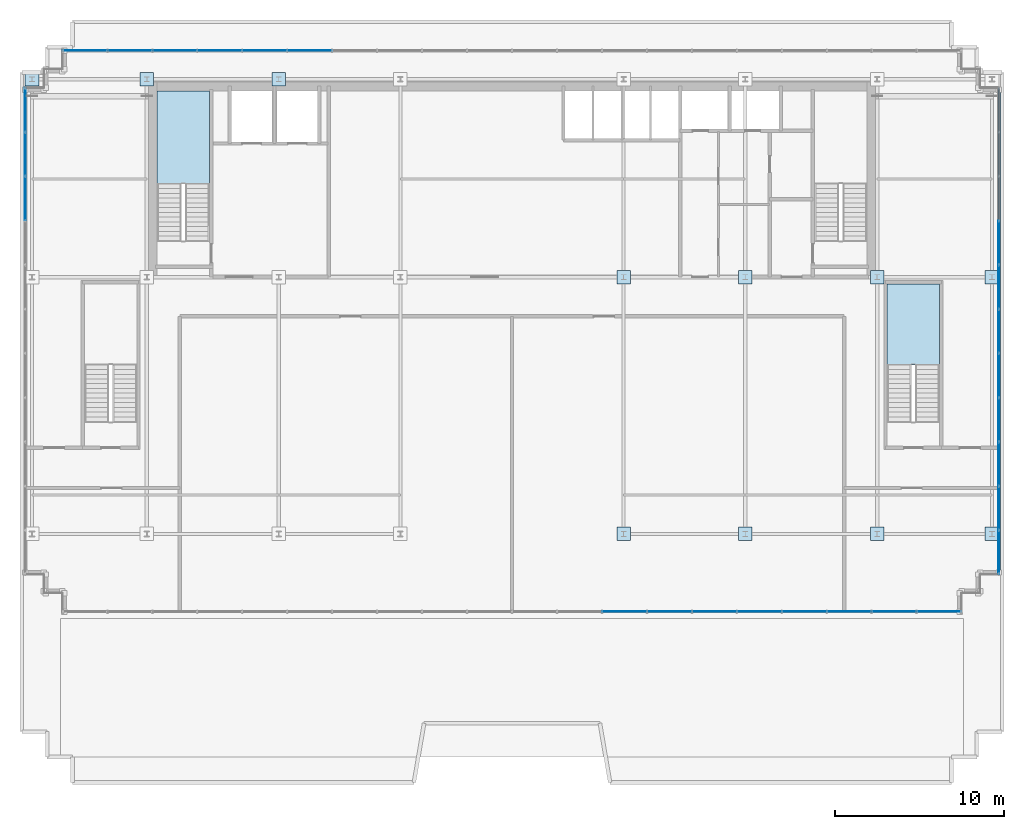
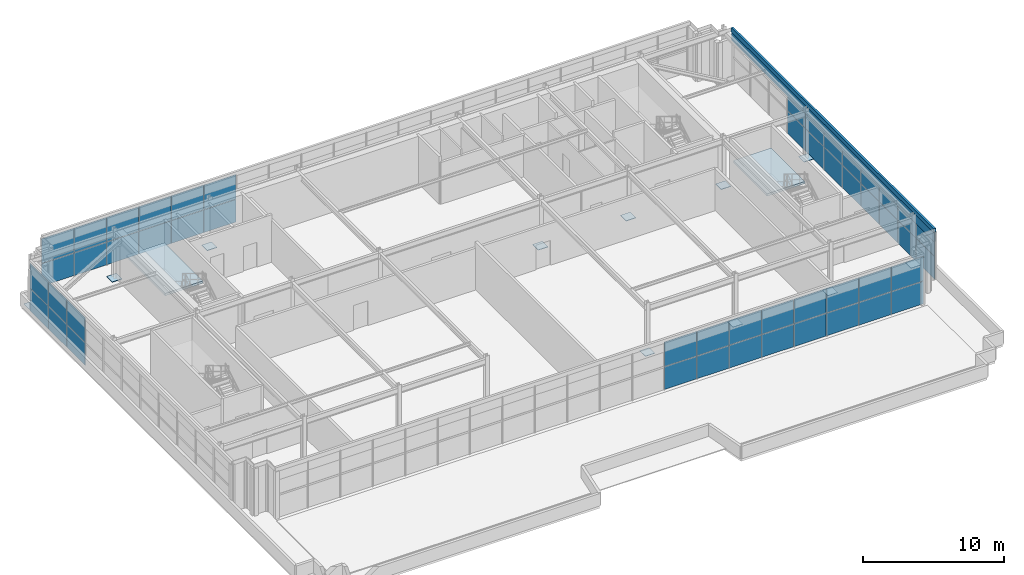
# One storey, part 26 of 38: 63 plates, 2 slabs, 6 elements without a shape of their own.
"""IFC4 building model written with IfcOpenShell, lengths in metres."""

from ifc_helpers import new_model, si_unit, direction, frame, origin, origin_2d, place, context, subcontext, project, spatial, polyline, rectangle, outline, extrude, source, transform, mapped, material, layer, layer_set, type_object, element, aggregate, save


model = new_model("IFC4")

# Units and contexts
model_context = context("Model", 3, precision=1e-05, world=origin(), true_north=direction((0.0, 1.0)))
body_context = subcontext(model_context, "Body", "Model", "MODEL_VIEW")
ifc_project = project(units=[si_unit("LENGTHUNIT", "METRE"), si_unit("AREAUNIT", "SQUARE_METRE"), si_unit("VOLUMEUNIT", "CUBIC_METRE"), si_unit("PLANEANGLEUNIT", "RADIAN"), si_unit("MASSUNIT", "GRAM", prefix="KILO")], contexts=[model_context])

# Site, building, storey
site_placement = place(None, origin())
site = spatial("IfcSite", under=ifc_project, at=site_placement, CompositionType="ELEMENT")
building_placement = place(site_placement, origin())
building = spatial("IfcBuilding", under=site, at=building_placement, Name="Trelvane Seafront Commons", CompositionType="ELEMENT")
storey_placement = place(building_placement, frame((0.0, 0.0, 299.10009765625)))
storey = spatial("IfcBuildingStorey", under=building, at=storey_placement, Name="L78", CompositionType="ELEMENT", Elevation=299.10009765625)

# Stair, slab
ifc_material_1 = material(Name="Concrete C40/50", Category="concrete")
stair_type_1 = type_object("IfcStairType", Name="ARCH-STR-ST-1-R26-169", PredefinedType="HALF_TURN_STAIR", material=ifc_material_1)
stair_1_placement = place(storey_placement, origin())
stair_1 = element("IfcStair", 1, at=stair_1_placement, inside=storey, type_object=stair_type_1, Name="L78 West Protected Firefighting Exit Stair ST-1", PredefinedType="HALF_TURN_STAIR")
ifc_layer_1 = layer(ifc_material_1, 0.199951171875, Name="ARCH-LND-200")
ifc_layer_set_1 = layer_set([ifc_layer_1], Name="Concrete C40/50")
slab_type = type_object("IfcSlabType", Name="ARCH-LND-200", PredefinedType="LANDING", material=ifc_layer_set_1)
slab_1_placement = place(storey_placement, frame((0.0, 0.0, 2.0)))
slab_1 = element("IfcSlab", 2, at=slab_1_placement, type_object=slab_type, Name="ST-1 landing 1", PredefinedType="LANDING", context=body_context, shape_type="SweptSolid", body=[
    extrude(outline(polyline([(19.300048828125, 38.909912109375), (19.300048828125, 44.39990234375), (16.199951171875, 44.39990234375), (16.199951171875, 38.909912109375), (19.300048828125, 38.909912109375)])), origin(), (0.0, 0.0, 1.0), 0.199951171875),
])
aggregate(stair_1, [slab_1])

stair_type_2 = type_object("IfcStairType", Name="ARCH-STR-ST-6-R26-169", PredefinedType="HALF_TURN_STAIR", material=ifc_material_1)
stair_2_placement = place(storey_placement, origin())
stair_2 = element("IfcStair", 3, at=stair_2_placement, inside=storey, type_object=stair_type_2, Name="L78 Crown East Peak Enclosed Maintenance Exit Stair ST-6", PredefinedType="HALF_TURN_STAIR")
slab_2_placement = place(storey_placement, frame((0.0, 0.0, 2.0)))
slab_2 = element("IfcSlab", 4, at=slab_2_placement, type_object=slab_type, Name="ST-6 landing 1", PredefinedType="LANDING", context=body_context, shape_type="SweptSolid", body=[
    extrude(outline(polyline([(62.5, 28.2099609375), (62.5, 33.0), (59.39990234375, 33.0), (59.39990234375, 28.2099609375), (62.5, 28.2099609375)])), origin(), (0.0, 0.0, 1.0), 0.199951171875),
])
aggregate(stair_2, [slab_2])

# Plates
ifc_material_2 = material(Name="Steel SM355 (S355)", Category="steel")
ifc_layer_2 = layer(ifc_material_2, 0.034912109375, Name="STR-PLT-BASE-CRN")
ifc_layer_set_2 = layer_set([ifc_layer_2], Name="Steel SM355 (S355)")
plate_type_1 = type_object("IfcPlateType", Name="STR-PLT-BASE-CRN", PredefinedType="SHEET", material=ifc_layer_set_2)
shared_shape_1 = source(origin(), body_context, "Body", "SweptSolid", [
    extrude(rectangle(XDim=0.800048828125, YDim=0.800048828125, at=origin_2d()), origin(), (0.0, 0.0, 1.0), 0.034912109375),
])
for number, where, z_axis, x_axis, name in (
    (5, (8.800048828125, 45.10009765625, 0.0), (0.0, 0.0, 1.0), (1.0, 0.0, 0.0), "L78 CROWN FRAME Column Base Plate CRN1-03"),
    (6, (15.60009765625, 45.10009765625, 0.0), (0.0, 0.0, 1.0), (1.0, 0.0, 0.0), "L78 CROWN FRAME Column Base Plate CRN1-06"),
    (7, (23.39990234375, 45.10009765625, 0.0), (0.0, 0.0, 1.0), (1.0, 0.0, 0.0), "L78 CROWN FRAME Column Base Plate CRN1-09"),
    (8, (43.800048828125, 18.199951171875, 0.0), (0.0, 0.0, 1.0), (1.0, 0.0, 0.0), "L78 CROWN FRAME Column Base Plate CRN1-13"),
    (9, (43.800048828125, 33.39990234375, 0.0), (0.0, 0.0, 1.0), (1.0, 0.0, 0.0), "L78 CROWN FRAME Column Base Plate CRN1-14"),
    (10, (51.0, 18.199951171875, 0.0), (0.0, 0.0, 1.0), (1.0, 0.0, 0.0), "L78 CROWN FRAME Column Base Plate CRN1-16"),
    (11, (51.0, 33.39990234375, 0.0), (0.0, 0.0, 1.0), (1.0, 0.0, 0.0), "L78 CROWN FRAME Column Base Plate CRN1-17"),
    (12, (58.800048828125, 18.199951171875, 0.0), (0.0, 0.0, 1.0), (1.0, 0.0, 0.0), "L78 CROWN FRAME Column Base Plate CRN1-19"),
    (13, (58.800048828125, 33.39990234375, 0.0), (0.0, 0.0, 1.0), (1.0, 0.0, 0.0), "L78 CROWN FRAME Column Base Plate CRN1-20"),
    (14, (65.60009765625, 18.199951171875, 0.0), (0.0, 0.0, 1.0), (1.0, 0.0, 0.0), "L78 CROWN FRAME Column Base Plate CRN1-22"),
    (15, (65.60009765625, 33.39990234375, 0.0), (0.0, 0.0, 1.0), (1.0, 0.0, 0.0), "L78 CROWN FRAME Column Base Plate CRN1-23"),
):
    element("IfcPlate", number, at=place(storey_placement, frame(where, z_axis=z_axis, x_axis=x_axis)), inside=storey, type_object=plate_type_1, Name=name, PredefinedType="SHEET", context=body_context, shape_type="MappedRepresentation", body=[
        mapped(shared_shape_1, transform((0.0, 0.0, 0.0), x_axis=(1.0, 0.0, 0.0), y_axis=(0.0, 1.0, 0.0), z_axis=(0.0, 0.0, 1.0), scale=1.0)),
    ])

# Curtain wall, plates
ifc_material_3 = material(Name="Anodised pale-silver aluminium", Category="aluminium")
curtain_wall_type = type_object("IfcCurtainWallType", Name="ARCH-CW6-CROWN", PredefinedType="NOTDEFINED", material=ifc_material_3)
curtain_wall_1_placement = place(storey_placement, origin())
curtain_wall_1 = element("IfcCurtainWall", 16, at=curtain_wall_1_placement, inside=storey, type_object=curtain_wall_type, Name="CW-L78-0124", PredefinedType="NOTDEFINED")
ifc_material_4 = material(Name="Low-E coastal double glazing", Category="glass")
ifc_layer_3 = layer(ifc_material_4, 0.033935546875, Name="ARCH-CW-GLAZ-34")
ifc_layer_set_3 = layer_set([ifc_layer_3], Name="Low-E coastal double glazing")
plate_type_2 = type_object("IfcPlateType", Name="ARCH-CW-GLAZ-34", PredefinedType="CURTAIN_PANEL", material=ifc_layer_set_3)
shared_shape_2 = source(origin(), body_context, "Body", "SweptSolid", [
    extrude(rectangle(XDim=2.59423828125, YDim=0.031982421875, at=origin_2d()), origin(), (0.0, 0.0, 1.0), 1.9599609375),
])
plate_1_placement = place(storey_placement, frame((8.39990234375, 40.672607421875, 0.0), z_axis=(0.0, 0.0, 1.0), x_axis=(0.0, 1.0, 0.0)))
plate_1 = element("IfcPlate", 17, at=plate_1_placement, type_object=plate_type_2, Name="CW-L78-0124-P09-1", PredefinedType="CURTAIN_PANEL", context=body_context, shape_type="MappedRepresentation", body=[
    mapped(shared_shape_2, transform((0.0, 0.0, 0.0), x_axis=(1.0, 0.0, 0.0), y_axis=(0.0, 1.0, 0.0), z_axis=(0.0, 0.0, 1.0), scale=1.0)),
])
plate_2_placement = place(storey_placement, frame((8.39990234375, 43.291015625, 0.0), z_axis=(0.0, 0.0, 1.0), x_axis=(0.0, 1.0, 0.0)))
plate_2 = element("IfcPlate", 18, at=plate_2_placement, type_object=plate_type_2, Name="CW-L78-0124-P10-1", PredefinedType="CURTAIN_PANEL", context=body_context, shape_type="MappedRepresentation", body=[
    mapped(shared_shape_2, transform((0.0, 0.0, 0.0), x_axis=(1.0, 0.0, 0.0), y_axis=(0.0, 1.0, 0.0), z_axis=(0.0, 0.0, 1.0), scale=1.0)),
])

curtain_wall_2_placement = place(storey_placement, origin())
curtain_wall_2 = element("IfcCurtainWall", 19, at=curtain_wall_2_placement, inside=storey, type_object=curtain_wall_type, Name="CW-L78-0126", PredefinedType="NOTDEFINED")
plate_3_placement = place(storey_placement, frame((66.0, 35.436279296875, 0.0), z_axis=(0.0, 0.0, 1.0), x_axis=(0.0, -1.0, 0.0)))
plate_3 = element("IfcPlate", 20, at=plate_3_placement, type_object=plate_type_2, Name="CW-L78-0126-P03-1", PredefinedType="CURTAIN_PANEL", context=body_context, shape_type="MappedRepresentation", body=[
    mapped(shared_shape_2, transform((0.0, 0.0, 0.0), x_axis=(1.0, 0.0, 0.0), y_axis=(0.0, 1.0, 0.0), z_axis=(0.0, 0.0, 1.0), scale=1.0)),
])
plate_4_placement = place(storey_placement, frame((66.0, 32.818115234375, 0.0), z_axis=(0.0, 0.0, 1.0), x_axis=(0.0, -1.0, 0.0)))
plate_4 = element("IfcPlate", 21, at=plate_4_placement, type_object=plate_type_2, Name="CW-L78-0126-P04-1", PredefinedType="CURTAIN_PANEL", context=body_context, shape_type="MappedRepresentation", body=[
    mapped(shared_shape_2, transform((0.0, 0.0, 0.0), x_axis=(1.0, 0.0, 0.0), y_axis=(0.0, 1.0, 0.0), z_axis=(0.0, 0.0, 1.0), scale=1.0)),
])
plate_5_placement = place(storey_placement, frame((66.0, 30.199951171875, 0.0), z_axis=(0.0, 0.0, 1.0), x_axis=(0.0, -1.0, 0.0)))
plate_5 = element("IfcPlate", 22, at=plate_5_placement, type_object=plate_type_2, Name="CW-L78-0126-P05-1", PredefinedType="CURTAIN_PANEL", context=body_context, shape_type="MappedRepresentation", body=[
    mapped(shared_shape_2, transform((0.0, 0.0, 0.0), x_axis=(1.0, 0.0, 0.0), y_axis=(0.0, 1.0, 0.0), z_axis=(0.0, 0.0, 1.0), scale=1.0)),
])
plate_6_placement = place(storey_placement, frame((66.0, 27.581787109375, 0.0), z_axis=(0.0, 0.0, 1.0), x_axis=(0.0, -1.0, 0.0)))
plate_6 = element("IfcPlate", 23, at=plate_6_placement, type_object=plate_type_2, Name="CW-L78-0126-P06-1", PredefinedType="CURTAIN_PANEL", context=body_context, shape_type="MappedRepresentation", body=[
    mapped(shared_shape_2, transform((0.0, 0.0, 0.0), x_axis=(1.0, 0.0, 0.0), y_axis=(0.0, 1.0, 0.0), z_axis=(0.0, 0.0, 1.0), scale=1.0)),
])
plate_7_placement = place(storey_placement, frame((66.0, 24.963623046875, 0.0), z_axis=(0.0, 0.0, 1.0), x_axis=(0.0, -1.0, 0.0)))
plate_7 = element("IfcPlate", 24, at=plate_7_placement, type_object=plate_type_2, Name="CW-L78-0126-P07-1", PredefinedType="CURTAIN_PANEL", context=body_context, shape_type="MappedRepresentation", body=[
    mapped(shared_shape_2, transform((0.0, 0.0, 0.0), x_axis=(1.0, 0.0, 0.0), y_axis=(0.0, 1.0, 0.0), z_axis=(0.0, 0.0, 1.0), scale=1.0)),
])
plate_8_placement = place(storey_placement, frame((66.0, 19.727294921875, 0.0), z_axis=(0.0, 0.0, 1.0), x_axis=(0.0, -1.0, 0.0)))
plate_8 = element("IfcPlate", 25, at=plate_8_placement, type_object=plate_type_2, Name="CW-L78-0126-P09-1", PredefinedType="CURTAIN_PANEL", context=body_context, shape_type="MappedRepresentation", body=[
    mapped(shared_shape_2, transform((0.0, 0.0, 0.0), x_axis=(1.0, 0.0, 0.0), y_axis=(0.0, 1.0, 0.0), z_axis=(0.0, 0.0, 1.0), scale=1.0)),
])
plate_9_placement = place(storey_placement, frame((66.0, 17.109130859375, 0.0), z_axis=(0.0, 0.0, 1.0), x_axis=(0.0, -1.0, 0.0)))
plate_9 = element("IfcPlate", 26, at=plate_9_placement, type_object=plate_type_2, Name="CW-L78-0126-P10-1", PredefinedType="CURTAIN_PANEL", context=body_context, shape_type="MappedRepresentation", body=[
    mapped(shared_shape_2, transform((0.0, 0.0, 0.0), x_axis=(1.0, 0.0, 0.0), y_axis=(0.0, 1.0, 0.0), z_axis=(0.0, 0.0, 1.0), scale=1.0)),
])

# Plate
shared_shape_3 = source(origin(), body_context, "Body", "SweptSolid", [
    extrude(rectangle(XDim=2.59423828125, YDim=0.031982421875, at=origin_2d()), origin(), (0.0, 0.0, 1.0), 2.1240234375),
])
plate_10_placement = place(storey_placement, frame((8.39990234375, 40.672607421875, 1.995849609375), z_axis=(0.0, 0.0, 1.0), x_axis=(0.0, 1.0, 0.0)))
plate_10 = element("IfcPlate", 27, at=plate_10_placement, type_object=plate_type_2, Name="CW-L78-0124-P09-2", PredefinedType="CURTAIN_PANEL", context=body_context, shape_type="MappedRepresentation", body=[
    mapped(shared_shape_3, transform((0.0, 0.0, 0.0), x_axis=(1.0, 0.0, 0.0), y_axis=(0.0, 1.0, 0.0), z_axis=(0.0, 0.0, 1.0), scale=1.0)),
])

plate_11_placement = place(storey_placement, frame((8.39990234375, 43.291015625, 1.995849609375), z_axis=(0.0, 0.0, 1.0), x_axis=(0.0, 1.0, 0.0)))
plate_11 = element("IfcPlate", 28, at=plate_11_placement, type_object=plate_type_2, Name="CW-L78-0124-P10-2", PredefinedType="CURTAIN_PANEL", context=body_context, shape_type="MappedRepresentation", body=[
    mapped(shared_shape_3, transform((0.0, 0.0, 0.0), x_axis=(1.0, 0.0, 0.0), y_axis=(0.0, 1.0, 0.0), z_axis=(0.0, 0.0, 1.0), scale=1.0)),
])

plate_12_placement = place(storey_placement, frame((66.0, 35.436279296875, 1.995849609375), z_axis=(0.0, 0.0, 1.0), x_axis=(0.0, -1.0, 0.0)))
plate_12 = element("IfcPlate", 29, at=plate_12_placement, type_object=plate_type_2, Name="CW-L78-0126-P03-2", PredefinedType="CURTAIN_PANEL", context=body_context, shape_type="MappedRepresentation", body=[
    mapped(shared_shape_3, transform((0.0, 0.0, 0.0), x_axis=(1.0, 0.0, 0.0), y_axis=(0.0, 1.0, 0.0), z_axis=(0.0, 0.0, 1.0), scale=1.0)),
])

plate_13_placement = place(storey_placement, frame((66.0, 32.818115234375, 1.995849609375), z_axis=(0.0, 0.0, 1.0), x_axis=(0.0, -1.0, 0.0)))
plate_13 = element("IfcPlate", 30, at=plate_13_placement, type_object=plate_type_2, Name="CW-L78-0126-P04-2", PredefinedType="CURTAIN_PANEL", context=body_context, shape_type="MappedRepresentation", body=[
    mapped(shared_shape_3, transform((0.0, 0.0, 0.0), x_axis=(1.0, 0.0, 0.0), y_axis=(0.0, 1.0, 0.0), z_axis=(0.0, 0.0, 1.0), scale=1.0)),
])

plate_14_placement = place(storey_placement, frame((66.0, 30.199951171875, 1.995849609375), z_axis=(0.0, 0.0, 1.0), x_axis=(0.0, -1.0, 0.0)))
plate_14 = element("IfcPlate", 31, at=plate_14_placement, type_object=plate_type_2, Name="CW-L78-0126-P05-2", PredefinedType="CURTAIN_PANEL", context=body_context, shape_type="MappedRepresentation", body=[
    mapped(shared_shape_3, transform((0.0, 0.0, 0.0), x_axis=(1.0, 0.0, 0.0), y_axis=(0.0, 1.0, 0.0), z_axis=(0.0, 0.0, 1.0), scale=1.0)),
])

plate_15_placement = place(storey_placement, frame((66.0, 27.581787109375, 1.995849609375), z_axis=(0.0, 0.0, 1.0), x_axis=(0.0, -1.0, 0.0)))
plate_15 = element("IfcPlate", 32, at=plate_15_placement, type_object=plate_type_2, Name="CW-L78-0126-P06-2", PredefinedType="CURTAIN_PANEL", context=body_context, shape_type="MappedRepresentation", body=[
    mapped(shared_shape_3, transform((0.0, 0.0, 0.0), x_axis=(1.0, 0.0, 0.0), y_axis=(0.0, 1.0, 0.0), z_axis=(0.0, 0.0, 1.0), scale=1.0)),
])

plate_16_placement = place(storey_placement, frame((66.0, 24.963623046875, 1.995849609375), z_axis=(0.0, 0.0, 1.0), x_axis=(0.0, -1.0, 0.0)))
plate_16 = element("IfcPlate", 33, at=plate_16_placement, type_object=plate_type_2, Name="CW-L78-0126-P07-2", PredefinedType="CURTAIN_PANEL", context=body_context, shape_type="MappedRepresentation", body=[
    mapped(shared_shape_3, transform((0.0, 0.0, 0.0), x_axis=(1.0, 0.0, 0.0), y_axis=(0.0, 1.0, 0.0), z_axis=(0.0, 0.0, 1.0), scale=1.0)),
])

plate_17_placement = place(storey_placement, frame((66.0, 19.727294921875, 1.995849609375), z_axis=(0.0, 0.0, 1.0), x_axis=(0.0, -1.0, 0.0)))
plate_17 = element("IfcPlate", 34, at=plate_17_placement, type_object=plate_type_2, Name="CW-L78-0126-P09-2", PredefinedType="CURTAIN_PANEL", context=body_context, shape_type="MappedRepresentation", body=[
    mapped(shared_shape_3, transform((0.0, 0.0, 0.0), x_axis=(1.0, 0.0, 0.0), y_axis=(0.0, 1.0, 0.0), z_axis=(0.0, 0.0, 1.0), scale=1.0)),
])

plate_18_placement = place(storey_placement, frame((66.0, 17.109130859375, 1.995849609375), z_axis=(0.0, 0.0, 1.0), x_axis=(0.0, -1.0, 0.0)))
plate_18 = element("IfcPlate", 35, at=plate_18_placement, type_object=plate_type_2, Name="CW-L78-0126-P10-2", PredefinedType="CURTAIN_PANEL", context=body_context, shape_type="MappedRepresentation", body=[
    mapped(shared_shape_3, transform((0.0, 0.0, 0.0), x_axis=(1.0, 0.0, 0.0), y_axis=(0.0, 1.0, 0.0), z_axis=(0.0, 0.0, 1.0), scale=1.0)),
])

shared_shape_4 = source(origin(), body_context, "Body", "SweptSolid", [
    extrude(rectangle(XDim=2.593994140625, YDim=0.031982421875, at=origin_2d()), origin(), (0.0, 0.0, 1.0), 1.9599609375),
])
plate_19_placement = place(storey_placement, frame((8.39990234375, 38.054443359375, 0.0), z_axis=(0.0, 0.0, 1.0), x_axis=(0.0, 1.0, 0.0)))
plate_19 = element("IfcPlate", 36, at=plate_19_placement, type_object=plate_type_2, Name="CW-L78-0124-P08-1", PredefinedType="CURTAIN_PANEL", context=body_context, shape_type="MappedRepresentation", body=[
    mapped(shared_shape_4, transform((0.0, 0.0, 0.0), x_axis=(1.0, 0.0, 0.0), y_axis=(0.0, 1.0, 0.0), z_axis=(0.0, 0.0, 1.0), scale=1.0)),
])

plate_20_placement = place(storey_placement, frame((66.0, 22.345458984375, 0.0), z_axis=(0.0, 0.0, 1.0), x_axis=(0.0, -1.0, 0.0)))
plate_20 = element("IfcPlate", 37, at=plate_20_placement, type_object=plate_type_2, Name="CW-L78-0126-P08-1", PredefinedType="CURTAIN_PANEL", context=body_context, shape_type="MappedRepresentation", body=[
    mapped(shared_shape_4, transform((0.0, 0.0, 0.0), x_axis=(1.0, 0.0, 0.0), y_axis=(0.0, 1.0, 0.0), z_axis=(0.0, 0.0, 1.0), scale=1.0)),
])

shared_shape_5 = source(origin(), body_context, "Body", "SweptSolid", [
    extrude(rectangle(XDim=2.593994140625, YDim=0.031982421875, at=origin_2d()), origin(), (0.0, 0.0, 1.0), 2.1240234375),
])
plate_21_placement = place(storey_placement, frame((8.39990234375, 38.054443359375, 1.995849609375), z_axis=(0.0, 0.0, 1.0), x_axis=(0.0, 1.0, 0.0)))
plate_21 = element("IfcPlate", 38, at=plate_21_placement, type_object=plate_type_2, Name="CW-L78-0124-P08-2", PredefinedType="CURTAIN_PANEL", context=body_context, shape_type="MappedRepresentation", body=[
    mapped(shared_shape_5, transform((0.0, 0.0, 0.0), x_axis=(1.0, 0.0, 0.0), y_axis=(0.0, 1.0, 0.0), z_axis=(0.0, 0.0, 1.0), scale=1.0)),
])

aggregate(curtain_wall_1, [plate_19, plate_21, plate_1, plate_10, plate_2, plate_11])

plate_22_placement = place(storey_placement, frame((66.0, 22.345458984375, 1.995849609375), z_axis=(0.0, 0.0, 1.0), x_axis=(0.0, -1.0, 0.0)))
plate_22 = element("IfcPlate", 39, at=plate_22_placement, type_object=plate_type_2, Name="CW-L78-0126-P08-2", PredefinedType="CURTAIN_PANEL", context=body_context, shape_type="MappedRepresentation", body=[
    mapped(shared_shape_5, transform((0.0, 0.0, 0.0), x_axis=(1.0, 0.0, 0.0), y_axis=(0.0, 1.0, 0.0), z_axis=(0.0, 0.0, 1.0), scale=1.0)),
])

aggregate(curtain_wall_2, [plate_3, plate_12, plate_4, plate_13, plate_5, plate_14, plate_6, plate_15, plate_7, plate_16, plate_20, plate_22, plate_8, plate_17, plate_9, plate_18])

# Plates
ifc_layer_4 = layer(ifc_material_3, 0.080078125, Name="ARCH-PLATE-LOUVRE")
ifc_layer_set_4 = layer_set([ifc_layer_4], Name="Anodised pale-silver aluminium")
plate_type_3 = type_object("IfcPlateType", Name="ARCH-PLATE-LOUVRE", PredefinedType="USERDEFINED", material=ifc_layer_set_4)
shared_shape_6 = source(origin(), body_context, "Body", "SweptSolid", [
    extrude(rectangle(XDim=28.800048828125, YDim=0.080078125, at=origin_2d()), origin(), (0.0, 0.0, 1.0), 0.889892578125),
])
plate_23_placement = place(storey_placement, frame((66.0, 30.199951171875, 3.27001953125), z_axis=(0.0, 0.0, 1.0), x_axis=(0.0, -1.0, 0.0)))
element("IfcPlate", 40, at=plate_23_placement, inside=storey, type_object=plate_type_3, Name="LOU-L78-015", ObjectType="LOUVRE", PredefinedType="USERDEFINED", context=body_context, shape_type="MappedRepresentation", body=[
    mapped(shared_shape_6, transform((0.0, 0.0, 0.0), x_axis=(1.0, 0.0, 0.0), y_axis=(0.0, 1.0, 0.0), z_axis=(0.0, 0.0, 1.0), scale=1.0)),
])
ifc_layer_5 = layer(ifc_material_3, 0.179931640625, Name="ARCH-PLATE-AERO")
ifc_layer_set_5 = layer_set([ifc_layer_5], Name="Anodised pale-silver aluminium")
plate_type_4 = type_object("IfcPlateType", Name="ARCH-PLATE-AERO", PredefinedType="SHEET", material=ifc_layer_set_5)
shared_shape_7 = source(origin(), body_context, "Body", "SweptSolid", [
    extrude(rectangle(XDim=28.800048828125, YDim=0.179931640625, at=origin_2d()), origin(), (0.0, 0.0, 1.0), 0.360107421875),
])
plate_24_placement = place(storey_placement, frame((66.0, 30.199951171875, 4.06005859375), z_axis=(0.0, 0.0, 1.0), x_axis=(0.0, -1.0, 0.0)))
element("IfcPlate", 41, at=plate_24_placement, inside=storey, type_object=plate_type_4, Name="AER-L78-00272", PredefinedType="SHEET", context=body_context, shape_type="MappedRepresentation", body=[
    mapped(shared_shape_7, transform((0.0, 0.0, 0.0), x_axis=(1.0, 0.0, 0.0), y_axis=(0.0, 1.0, 0.0), z_axis=(0.0, 0.0, 1.0), scale=1.0)),
])

# Curtain wall, plates
curtain_wall_3_placement = place(storey_placement, origin())
curtain_wall_3 = element("IfcCurtainWall", 42, at=curtain_wall_3_placement, inside=storey, type_object=curtain_wall_type, Name="CW-L78-0125", PredefinedType="NOTDEFINED")
shared_shape_8 = source(origin(), body_context, "Body", "SweptSolid", [
    extrude(rectangle(XDim=2.635986328125, YDim=0.031982421875, at=origin_2d()), origin(), (0.0, 0.0, 1.0), 1.9599609375),
])
plate_25_placement = place(storey_placement, frame((11.929931640625, 46.800048828125, 0.0), z_axis=(0.0, 0.0, 1.0), x_axis=(1.0, 0.0, 0.0)))
plate_25 = element("IfcPlate", 43, at=plate_25_placement, type_object=plate_type_2, Name="CW-L78-0125-P00-1", PredefinedType="CURTAIN_PANEL", context=body_context, shape_type="MappedRepresentation", body=[
    mapped(shared_shape_8, transform((0.0, 0.0, 0.0), x_axis=(1.0, 0.0, 0.0), y_axis=(0.0, 1.0, 0.0), z_axis=(0.0, 0.0, 1.0), scale=1.0)),
])
plate_26_placement = place(storey_placement, frame((14.590087890625, 46.800048828125, 0.0), z_axis=(0.0, 0.0, 1.0), x_axis=(1.0, 0.0, 0.0)))
plate_26 = element("IfcPlate", 44, at=plate_26_placement, type_object=plate_type_2, Name="CW-L78-0125-P01-1", PredefinedType="CURTAIN_PANEL", context=body_context, shape_type="MappedRepresentation", body=[
    mapped(shared_shape_8, transform((0.0, 0.0, 0.0), x_axis=(1.0, 0.0, 0.0), y_axis=(0.0, 1.0, 0.0), z_axis=(0.0, 0.0, 1.0), scale=1.0)),
])
plate_27_placement = place(storey_placement, frame((17.25, 46.800048828125, 0.0), z_axis=(0.0, 0.0, 1.0), x_axis=(1.0, 0.0, 0.0)))
plate_27 = element("IfcPlate", 45, at=plate_27_placement, type_object=plate_type_2, Name="CW-L78-0125-P02-1", PredefinedType="CURTAIN_PANEL", context=body_context, shape_type="MappedRepresentation", body=[
    mapped(shared_shape_8, transform((0.0, 0.0, 0.0), x_axis=(1.0, 0.0, 0.0), y_axis=(0.0, 1.0, 0.0), z_axis=(0.0, 0.0, 1.0), scale=1.0)),
])
plate_28_placement = place(storey_placement, frame((19.909912109375, 46.800048828125, 0.0), z_axis=(0.0, 0.0, 1.0), x_axis=(1.0, 0.0, 0.0)))
plate_28 = element("IfcPlate", 46, at=plate_28_placement, type_object=plate_type_2, Name="CW-L78-0125-P03-1", PredefinedType="CURTAIN_PANEL", context=body_context, shape_type="MappedRepresentation", body=[
    mapped(shared_shape_8, transform((0.0, 0.0, 0.0), x_axis=(1.0, 0.0, 0.0), y_axis=(0.0, 1.0, 0.0), z_axis=(0.0, 0.0, 1.0), scale=1.0)),
])
plate_29_placement = place(storey_placement, frame((22.570068359375, 46.800048828125, 0.0), z_axis=(0.0, 0.0, 1.0), x_axis=(1.0, 0.0, 0.0)))
plate_29 = element("IfcPlate", 47, at=plate_29_placement, type_object=plate_type_2, Name="CW-L78-0125-P04-1", PredefinedType="CURTAIN_PANEL", context=body_context, shape_type="MappedRepresentation", body=[
    mapped(shared_shape_8, transform((0.0, 0.0, 0.0), x_axis=(1.0, 0.0, 0.0), y_axis=(0.0, 1.0, 0.0), z_axis=(0.0, 0.0, 1.0), scale=1.0)),
])
plate_30_placement = place(storey_placement, frame((25.22998046875, 46.800048828125, 0.0), z_axis=(0.0, 0.0, 1.0), x_axis=(1.0, 0.0, 0.0)))
plate_30 = element("IfcPlate", 48, at=plate_30_placement, type_object=plate_type_2, Name="CW-L78-0125-P05-1", PredefinedType="CURTAIN_PANEL", context=body_context, shape_type="MappedRepresentation", body=[
    mapped(shared_shape_8, transform((0.0, 0.0, 0.0), x_axis=(1.0, 0.0, 0.0), y_axis=(0.0, 1.0, 0.0), z_axis=(0.0, 0.0, 1.0), scale=1.0)),
])

curtain_wall_4_placement = place(storey_placement, origin())
curtain_wall_4 = element("IfcCurtainWall", 49, at=curtain_wall_4_placement, inside=storey, type_object=curtain_wall_type, Name="CW-L78-0127", PredefinedType="NOTDEFINED")
plate_31_placement = place(storey_placement, frame((62.469970703125, 13.60009765625, 0.0), z_axis=(0.0, 0.0, 1.0), x_axis=(-1.0, 0.0, 0.0)))
plate_31 = element("IfcPlate", 50, at=plate_31_placement, type_object=plate_type_2, Name="CW-L78-0127-P00-1", PredefinedType="CURTAIN_PANEL", context=body_context, shape_type="MappedRepresentation", body=[
    mapped(shared_shape_8, transform((0.0, 0.0, 0.0), x_axis=(1.0, 0.0, 0.0), y_axis=(0.0, 1.0, 0.0), z_axis=(0.0, 0.0, 1.0), scale=1.0)),
])
plate_32_placement = place(storey_placement, frame((59.81005859375, 13.60009765625, 0.0), z_axis=(0.0, 0.0, 1.0), x_axis=(-1.0, 0.0, 0.0)))
plate_32 = element("IfcPlate", 51, at=plate_32_placement, type_object=plate_type_2, Name="CW-L78-0127-P01-1", PredefinedType="CURTAIN_PANEL", context=body_context, shape_type="MappedRepresentation", body=[
    mapped(shared_shape_8, transform((0.0, 0.0, 0.0), x_axis=(1.0, 0.0, 0.0), y_axis=(0.0, 1.0, 0.0), z_axis=(0.0, 0.0, 1.0), scale=1.0)),
])
plate_33_placement = place(storey_placement, frame((57.14990234375, 13.60009765625, 0.0), z_axis=(0.0, 0.0, 1.0), x_axis=(-1.0, 0.0, 0.0)))
plate_33 = element("IfcPlate", 52, at=plate_33_placement, type_object=plate_type_2, Name="CW-L78-0127-P02-1", PredefinedType="CURTAIN_PANEL", context=body_context, shape_type="MappedRepresentation", body=[
    mapped(shared_shape_8, transform((0.0, 0.0, 0.0), x_axis=(1.0, 0.0, 0.0), y_axis=(0.0, 1.0, 0.0), z_axis=(0.0, 0.0, 1.0), scale=1.0)),
])
plate_34_placement = place(storey_placement, frame((54.489990234375, 13.60009765625, 0.0), z_axis=(0.0, 0.0, 1.0), x_axis=(-1.0, 0.0, 0.0)))
plate_34 = element("IfcPlate", 53, at=plate_34_placement, type_object=plate_type_2, Name="CW-L78-0127-P03-1", PredefinedType="CURTAIN_PANEL", context=body_context, shape_type="MappedRepresentation", body=[
    mapped(shared_shape_8, transform((0.0, 0.0, 0.0), x_axis=(1.0, 0.0, 0.0), y_axis=(0.0, 1.0, 0.0), z_axis=(0.0, 0.0, 1.0), scale=1.0)),
])
plate_35_placement = place(storey_placement, frame((51.830078125, 13.60009765625, 0.0), z_axis=(0.0, 0.0, 1.0), x_axis=(-1.0, 0.0, 0.0)))
plate_35 = element("IfcPlate", 54, at=plate_35_placement, type_object=plate_type_2, Name="CW-L78-0127-P04-1", PredefinedType="CURTAIN_PANEL", context=body_context, shape_type="MappedRepresentation", body=[
    mapped(shared_shape_8, transform((0.0, 0.0, 0.0), x_axis=(1.0, 0.0, 0.0), y_axis=(0.0, 1.0, 0.0), z_axis=(0.0, 0.0, 1.0), scale=1.0)),
])
plate_36_placement = place(storey_placement, frame((49.169921875, 13.60009765625, 0.0), z_axis=(0.0, 0.0, 1.0), x_axis=(-1.0, 0.0, 0.0)))
plate_36 = element("IfcPlate", 55, at=plate_36_placement, type_object=plate_type_2, Name="CW-L78-0127-P05-1", PredefinedType="CURTAIN_PANEL", context=body_context, shape_type="MappedRepresentation", body=[
    mapped(shared_shape_8, transform((0.0, 0.0, 0.0), x_axis=(1.0, 0.0, 0.0), y_axis=(0.0, 1.0, 0.0), z_axis=(0.0, 0.0, 1.0), scale=1.0)),
])
plate_37_placement = place(storey_placement, frame((46.510009765625, 13.60009765625, 0.0), z_axis=(0.0, 0.0, 1.0), x_axis=(-1.0, 0.0, 0.0)))
plate_37 = element("IfcPlate", 56, at=plate_37_placement, type_object=plate_type_2, Name="CW-L78-0127-P06-1", PredefinedType="CURTAIN_PANEL", context=body_context, shape_type="MappedRepresentation", body=[
    mapped(shared_shape_8, transform((0.0, 0.0, 0.0), x_axis=(1.0, 0.0, 0.0), y_axis=(0.0, 1.0, 0.0), z_axis=(0.0, 0.0, 1.0), scale=1.0)),
])
plate_38_placement = place(storey_placement, frame((43.85009765625, 13.60009765625, 0.0), z_axis=(0.0, 0.0, 1.0), x_axis=(-1.0, 0.0, 0.0)))
plate_38 = element("IfcPlate", 57, at=plate_38_placement, type_object=plate_type_2, Name="CW-L78-0127-P07-1", PredefinedType="CURTAIN_PANEL", context=body_context, shape_type="MappedRepresentation", body=[
    mapped(shared_shape_8, transform((0.0, 0.0, 0.0), x_axis=(1.0, 0.0, 0.0), y_axis=(0.0, 1.0, 0.0), z_axis=(0.0, 0.0, 1.0), scale=1.0)),
])

# Plate
shared_shape_9 = source(origin(), body_context, "Body", "SweptSolid", [
    extrude(rectangle(XDim=2.635986328125, YDim=0.031982421875, at=origin_2d()), origin(), (0.0, 0.0, 1.0), 2.1240234375),
])
plate_39_placement = place(storey_placement, frame((11.929931640625, 46.800048828125, 1.995849609375), z_axis=(0.0, 0.0, 1.0), x_axis=(1.0, 0.0, 0.0)))
plate_39 = element("IfcPlate", 58, at=plate_39_placement, type_object=plate_type_2, Name="CW-L78-0125-P00-2", PredefinedType="CURTAIN_PANEL", context=body_context, shape_type="MappedRepresentation", body=[
    mapped(shared_shape_9, transform((0.0, 0.0, 0.0), x_axis=(1.0, 0.0, 0.0), y_axis=(0.0, 1.0, 0.0), z_axis=(0.0, 0.0, 1.0), scale=1.0)),
])

plate_40_placement = place(storey_placement, frame((14.590087890625, 46.800048828125, 1.995849609375), z_axis=(0.0, 0.0, 1.0), x_axis=(1.0, 0.0, 0.0)))
plate_40 = element("IfcPlate", 59, at=plate_40_placement, type_object=plate_type_2, Name="CW-L78-0125-P01-2", PredefinedType="CURTAIN_PANEL", context=body_context, shape_type="MappedRepresentation", body=[
    mapped(shared_shape_9, transform((0.0, 0.0, 0.0), x_axis=(1.0, 0.0, 0.0), y_axis=(0.0, 1.0, 0.0), z_axis=(0.0, 0.0, 1.0), scale=1.0)),
])

plate_41_placement = place(storey_placement, frame((17.25, 46.800048828125, 1.995849609375), z_axis=(0.0, 0.0, 1.0), x_axis=(1.0, 0.0, 0.0)))
plate_41 = element("IfcPlate", 60, at=plate_41_placement, type_object=plate_type_2, Name="CW-L78-0125-P02-2", PredefinedType="CURTAIN_PANEL", context=body_context, shape_type="MappedRepresentation", body=[
    mapped(shared_shape_9, transform((0.0, 0.0, 0.0), x_axis=(1.0, 0.0, 0.0), y_axis=(0.0, 1.0, 0.0), z_axis=(0.0, 0.0, 1.0), scale=1.0)),
])

plate_42_placement = place(storey_placement, frame((19.909912109375, 46.800048828125, 1.995849609375), z_axis=(0.0, 0.0, 1.0), x_axis=(1.0, 0.0, 0.0)))
plate_42 = element("IfcPlate", 61, at=plate_42_placement, type_object=plate_type_2, Name="CW-L78-0125-P03-2", PredefinedType="CURTAIN_PANEL", context=body_context, shape_type="MappedRepresentation", body=[
    mapped(shared_shape_9, transform((0.0, 0.0, 0.0), x_axis=(1.0, 0.0, 0.0), y_axis=(0.0, 1.0, 0.0), z_axis=(0.0, 0.0, 1.0), scale=1.0)),
])

plate_43_placement = place(storey_placement, frame((22.570068359375, 46.800048828125, 1.995849609375), z_axis=(0.0, 0.0, 1.0), x_axis=(1.0, 0.0, 0.0)))
plate_43 = element("IfcPlate", 62, at=plate_43_placement, type_object=plate_type_2, Name="CW-L78-0125-P04-2", PredefinedType="CURTAIN_PANEL", context=body_context, shape_type="MappedRepresentation", body=[
    mapped(shared_shape_9, transform((0.0, 0.0, 0.0), x_axis=(1.0, 0.0, 0.0), y_axis=(0.0, 1.0, 0.0), z_axis=(0.0, 0.0, 1.0), scale=1.0)),
])

plate_44_placement = place(storey_placement, frame((25.22998046875, 46.800048828125, 1.995849609375), z_axis=(0.0, 0.0, 1.0), x_axis=(1.0, 0.0, 0.0)))
plate_44 = element("IfcPlate", 63, at=plate_44_placement, type_object=plate_type_2, Name="CW-L78-0125-P05-2", PredefinedType="CURTAIN_PANEL", context=body_context, shape_type="MappedRepresentation", body=[
    mapped(shared_shape_9, transform((0.0, 0.0, 0.0), x_axis=(1.0, 0.0, 0.0), y_axis=(0.0, 1.0, 0.0), z_axis=(0.0, 0.0, 1.0), scale=1.0)),
])

aggregate(curtain_wall_3, [plate_25, plate_39, plate_26, plate_40, plate_27, plate_41, plate_28, plate_42, plate_29, plate_43, plate_30, plate_44])

plate_45_placement = place(storey_placement, frame((62.469970703125, 13.60009765625, 1.995849609375), z_axis=(0.0, 0.0, 1.0), x_axis=(-1.0, 0.0, 0.0)))
plate_45 = element("IfcPlate", 64, at=plate_45_placement, type_object=plate_type_2, Name="CW-L78-0127-P00-2", PredefinedType="CURTAIN_PANEL", context=body_context, shape_type="MappedRepresentation", body=[
    mapped(shared_shape_9, transform((0.0, 0.0, 0.0), x_axis=(1.0, 0.0, 0.0), y_axis=(0.0, 1.0, 0.0), z_axis=(0.0, 0.0, 1.0), scale=1.0)),
])

plate_46_placement = place(storey_placement, frame((59.81005859375, 13.60009765625, 1.995849609375), z_axis=(0.0, 0.0, 1.0), x_axis=(-1.0, 0.0, 0.0)))
plate_46 = element("IfcPlate", 65, at=plate_46_placement, type_object=plate_type_2, Name="CW-L78-0127-P01-2", PredefinedType="CURTAIN_PANEL", context=body_context, shape_type="MappedRepresentation", body=[
    mapped(shared_shape_9, transform((0.0, 0.0, 0.0), x_axis=(1.0, 0.0, 0.0), y_axis=(0.0, 1.0, 0.0), z_axis=(0.0, 0.0, 1.0), scale=1.0)),
])

plate_47_placement = place(storey_placement, frame((57.14990234375, 13.60009765625, 1.995849609375), z_axis=(0.0, 0.0, 1.0), x_axis=(-1.0, 0.0, 0.0)))
plate_47 = element("IfcPlate", 66, at=plate_47_placement, type_object=plate_type_2, Name="CW-L78-0127-P02-2", PredefinedType="CURTAIN_PANEL", context=body_context, shape_type="MappedRepresentation", body=[
    mapped(shared_shape_9, transform((0.0, 0.0, 0.0), x_axis=(1.0, 0.0, 0.0), y_axis=(0.0, 1.0, 0.0), z_axis=(0.0, 0.0, 1.0), scale=1.0)),
])

plate_48_placement = place(storey_placement, frame((54.489990234375, 13.60009765625, 1.995849609375), z_axis=(0.0, 0.0, 1.0), x_axis=(-1.0, 0.0, 0.0)))
plate_48 = element("IfcPlate", 67, at=plate_48_placement, type_object=plate_type_2, Name="CW-L78-0127-P03-2", PredefinedType="CURTAIN_PANEL", context=body_context, shape_type="MappedRepresentation", body=[
    mapped(shared_shape_9, transform((0.0, 0.0, 0.0), x_axis=(1.0, 0.0, 0.0), y_axis=(0.0, 1.0, 0.0), z_axis=(0.0, 0.0, 1.0), scale=1.0)),
])

plate_49_placement = place(storey_placement, frame((51.830078125, 13.60009765625, 1.995849609375), z_axis=(0.0, 0.0, 1.0), x_axis=(-1.0, 0.0, 0.0)))
plate_49 = element("IfcPlate", 68, at=plate_49_placement, type_object=plate_type_2, Name="CW-L78-0127-P04-2", PredefinedType="CURTAIN_PANEL", context=body_context, shape_type="MappedRepresentation", body=[
    mapped(shared_shape_9, transform((0.0, 0.0, 0.0), x_axis=(1.0, 0.0, 0.0), y_axis=(0.0, 1.0, 0.0), z_axis=(0.0, 0.0, 1.0), scale=1.0)),
])

plate_50_placement = place(storey_placement, frame((49.169921875, 13.60009765625, 1.995849609375), z_axis=(0.0, 0.0, 1.0), x_axis=(-1.0, 0.0, 0.0)))
plate_50 = element("IfcPlate", 69, at=plate_50_placement, type_object=plate_type_2, Name="CW-L78-0127-P05-2", PredefinedType="CURTAIN_PANEL", context=body_context, shape_type="MappedRepresentation", body=[
    mapped(shared_shape_9, transform((0.0, 0.0, 0.0), x_axis=(1.0, 0.0, 0.0), y_axis=(0.0, 1.0, 0.0), z_axis=(0.0, 0.0, 1.0), scale=1.0)),
])

plate_51_placement = place(storey_placement, frame((46.510009765625, 13.60009765625, 1.995849609375), z_axis=(0.0, 0.0, 1.0), x_axis=(-1.0, 0.0, 0.0)))
plate_51 = element("IfcPlate", 70, at=plate_51_placement, type_object=plate_type_2, Name="CW-L78-0127-P06-2", PredefinedType="CURTAIN_PANEL", context=body_context, shape_type="MappedRepresentation", body=[
    mapped(shared_shape_9, transform((0.0, 0.0, 0.0), x_axis=(1.0, 0.0, 0.0), y_axis=(0.0, 1.0, 0.0), z_axis=(0.0, 0.0, 1.0), scale=1.0)),
])

plate_52_placement = place(storey_placement, frame((43.85009765625, 13.60009765625, 1.995849609375), z_axis=(0.0, 0.0, 1.0), x_axis=(-1.0, 0.0, 0.0)))
plate_52 = element("IfcPlate", 71, at=plate_52_placement, type_object=plate_type_2, Name="CW-L78-0127-P07-2", PredefinedType="CURTAIN_PANEL", context=body_context, shape_type="MappedRepresentation", body=[
    mapped(shared_shape_9, transform((0.0, 0.0, 0.0), x_axis=(1.0, 0.0, 0.0), y_axis=(0.0, 1.0, 0.0), z_axis=(0.0, 0.0, 1.0), scale=1.0)),
])

aggregate(curtain_wall_4, [plate_31, plate_45, plate_32, plate_46, plate_33, plate_47, plate_34, plate_48, plate_35, plate_49, plate_36, plate_50, plate_37, plate_51, plate_38, plate_52])

save(model, "model.ifc")
